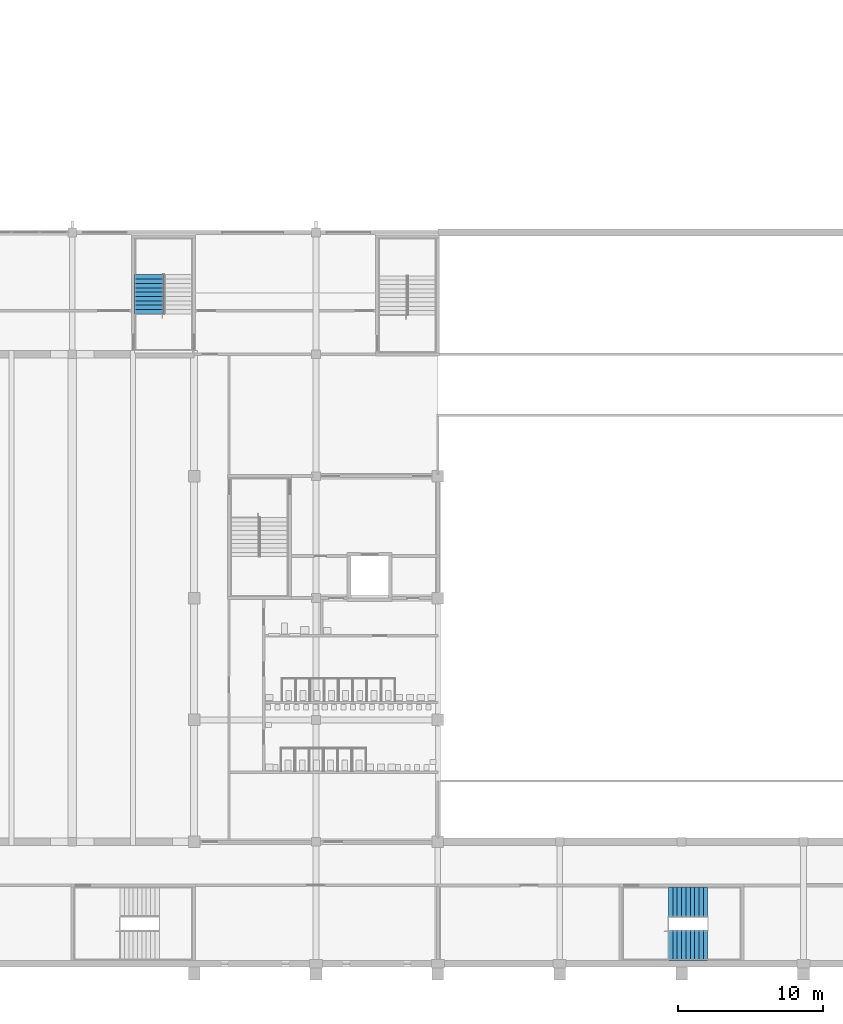
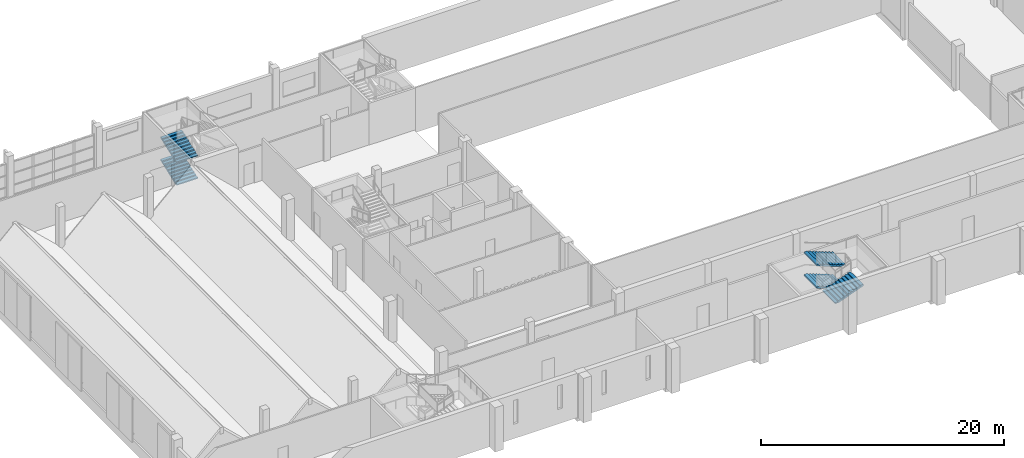
# One storey, part 36 of 56: 5 stair flights, 2 elements without a shape of their own.
"""IFC4 building model written with IfcOpenShell, lengths in metres."""

from ifc_helpers import new_model, si_unit, direction, frame, origin, place, context, subcontext, project, spatial, faceted_brep, material, type_object, element, aggregate, save


model = new_model("IFC4")

# Units and contexts
model_context = context("Model", 3, precision=1e-05, world=origin(), true_north=direction((0.0, 1.0)))
body_context = subcontext(model_context, "Body", "Model", "MODEL_VIEW")
ifc_project = project(units=[si_unit("LENGTHUNIT", "METRE"), si_unit("AREAUNIT", "SQUARE_METRE"), si_unit("VOLUMEUNIT", "CUBIC_METRE"), si_unit("PLANEANGLEUNIT", "RADIAN"), si_unit("MASSUNIT", "GRAM", prefix="KILO")], contexts=[model_context])

# Site, building, storey
site_placement = place(None, origin())
site = spatial("IfcSite", under=ifc_project, at=site_placement, CompositionType="ELEMENT")
building_placement = place(site_placement, origin())
building = spatial("IfcBuilding", under=site, at=building_placement, Name="Rulbaag Community and Learning Centre", CompositionType="ELEMENT")
storey_placement = place(building_placement, frame((0.0, 0.0, 9.89990234375)))
storey = spatial("IfcBuildingStorey", under=building, at=storey_placement, Name="L02", CompositionType="ELEMENT", Elevation=9.89990234375)

# Stair, stair flights
ifc_material = material(Name="Concrete M40", Category="concrete")
stair_type_1 = type_object("IfcStairType", Name="ST-2000 STAIR 2000 WIDE", PredefinedType="HALF_TURN_STAIR", material=ifc_material)
stair_1_placement = place(storey_placement, origin())
stair_1 = element("IfcStair", 1, at=stair_1_placement, inside=storey, type_object=stair_type_1, Name="Stair ST-H0 L02", PredefinedType="HALF_TURN_STAIR")
stair_flight_type_1 = type_object("IfcStairFlightType", Name="FL-2000 FLIGHT 2000 WIDE Concrete M40", PredefinedType="STRAIGHT", material=ifc_material)
stair_flight_1_placement = place(storey_placement, frame((22.10009765625, 44.78759765625, 0.0), z_axis=(0.0, 0.0, 1.0), x_axis=(0.0, 1.0, 0.0)))
stair_flight_1 = element("IfcStairFlight", 2, at=stair_flight_1_placement, type_object=stair_flight_type_1, Name="ST-H0 flight 1", NumberOfRisers=10, NumberOfTreads=9, PredefinedType="STRAIGHT", RiserHeight=0.1125, TreadLength=0.3, context=body_context, shape_type="Brep", body=[
    faceted_brep([(0.3984375, -1.0, 0.0), (2.699951171875, -1.0, 0.863037109375), (2.699951171875, -1.0, 1.012451171875), (2.39990234375, -1.0, 1.012451171875), (2.39990234375, -1.0, 0.89990234375), (2.10009765625, -1.0, 0.89990234375), (2.10009765625, -1.0, 0.78759765625), (1.800048828125, -1.0, 0.78759765625), (1.800048828125, -1.0, 0.675048828125), (1.5, -1.0, 0.675048828125), (1.5, -1.0, 0.5625), (1.199951171875, -1.0, 0.5625), (1.199951171875, -1.0, 0.449951171875), (0.89990234375, -1.0, 0.449951171875), (0.89990234375, -1.0, 0.33740234375), (0.60009765625, -1.0, 0.33740234375), (0.60009765625, -1.0, 0.22509765625), (0.300048828125, -1.0, 0.22509765625), (0.300048828125, -1.0, 0.112548828125), (0.0, -1.0, 0.112548828125), (0.0, -1.0, 0.0), (0.0, 1.0, 0.0), (0.0, 1.0, 0.112548828125), (0.300048828125, 1.0, 0.112548828125), (0.300048828125, 1.0, 0.22509765625), (0.60009765625, 1.0, 0.22509765625), (0.60009765625, 1.0, 0.33740234375), (0.89990234375, 1.0, 0.33740234375), (0.89990234375, 1.0, 0.449951171875), (1.199951171875, 1.0, 0.449951171875), (1.199951171875, 1.0, 0.5625), (1.5, 1.0, 0.5625), (1.5, 1.0, 0.675048828125), (1.800048828125, 1.0, 0.675048828125), (1.800048828125, 1.0, 0.78759765625), (2.10009765625, 1.0, 0.78759765625), (2.10009765625, 1.0, 0.89990234375), (2.39990234375, 1.0, 0.89990234375), (2.39990234375, 1.0, 1.012451171875), (2.699951171875, 1.0, 1.012451171875), (2.699951171875, 1.0, 0.863037109375), (0.3984375, 1.0, 0.0), (0.0, -0.333251953125, 0.112548828125), (0.0, -0.333251953125, 0.0), (0.0, 0.333251953125, 0.112548828125), (0.0, 0.333251953125, 0.0), (0.300048828125, -0.333251953125, 0.112548828125), (0.300048828125, 0.333251953125, 0.112548828125), (0.300048828125, -0.333251953125, 0.22509765625), (0.300048828125, 0.333251953125, 0.22509765625), (0.60009765625, -0.333251953125, 0.22509765625), (0.60009765625, 0.333251953125, 0.22509765625), (0.60009765625, -0.333251953125, 0.33740234375), (0.60009765625, 0.333251953125, 0.33740234375), (0.89990234375, -0.333251953125, 0.33740234375), (0.89990234375, 0.333251953125, 0.33740234375), (0.89990234375, -0.333251953125, 0.449951171875), (0.89990234375, 0.333251953125, 0.449951171875), (1.199951171875, -0.333251953125, 0.449951171875), (1.199951171875, 0.333251953125, 0.449951171875), (1.199951171875, -0.333251953125, 0.5625), (1.199951171875, 0.333251953125, 0.5625), (1.5, -0.333251953125, 0.5625), (1.5, 0.333251953125, 0.5625), (1.5, -0.333251953125, 0.675048828125), (1.5, 0.333251953125, 0.675048828125), (1.800048828125, -0.333251953125, 0.675048828125), (1.800048828125, 0.333251953125, 0.675048828125), (1.800048828125, -0.333251953125, 0.78759765625), (1.800048828125, 0.333251953125, 0.78759765625), (2.10009765625, -0.333251953125, 0.78759765625), (2.10009765625, 0.333251953125, 0.78759765625), (2.10009765625, -0.333251953125, 0.89990234375), (2.10009765625, 0.333251953125, 0.89990234375), (2.39990234375, -0.333251953125, 0.89990234375), (2.39990234375, 0.333251953125, 0.89990234375), (2.39990234375, -0.333251953125, 1.012451171875), (2.39990234375, 0.333251953125, 1.012451171875), (2.699951171875, -0.333251953125, 1.012451171875), (2.699951171875, 0.333251953125, 1.012451171875), (2.699951171875, -0.333251953125, 0.863037109375), (2.699951171875, 0.333251953125, 0.863037109375), (0.3984375, -0.333251953125, 0.0), (0.3984375, 0.333251953125, 0.0)], [[[0, 1, 2, 3, 4, 5, 6, 7, 8, 9, 10, 11, 12, 13, 14, 15, 16, 17, 18, 19, 20]], [[21, 22, 23, 24, 25, 26, 27, 28, 29, 30, 31, 32, 33, 34, 35, 36, 37, 38, 39, 40, 41]], [[20, 19, 42, 43]], [[43, 42, 44, 45]], [[45, 44, 22, 21]], [[19, 18, 46, 42]], [[42, 46, 47, 44]], [[44, 47, 23, 22]], [[18, 17, 48, 46]], [[46, 48, 49, 47]], [[47, 49, 24, 23]], [[17, 16, 50, 48]], [[48, 50, 51, 49]], [[49, 51, 25, 24]], [[16, 15, 52, 50]], [[50, 52, 53, 51]], [[51, 53, 26, 25]], [[15, 14, 54, 52]], [[52, 54, 55, 53]], [[53, 55, 27, 26]], [[14, 13, 56, 54]], [[54, 56, 57, 55]], [[55, 57, 28, 27]], [[13, 12, 58, 56]], [[56, 58, 59, 57]], [[57, 59, 29, 28]], [[12, 11, 60, 58]], [[58, 60, 61, 59]], [[59, 61, 30, 29]], [[11, 10, 62, 60]], [[60, 62, 63, 61]], [[61, 63, 31, 30]], [[10, 9, 64, 62]], [[62, 64, 65, 63]], [[63, 65, 32, 31]], [[9, 8, 66, 64]], [[64, 66, 67, 65]], [[65, 67, 33, 32]], [[8, 7, 68, 66]], [[66, 68, 69, 67]], [[67, 69, 34, 33]], [[7, 6, 70, 68]], [[68, 70, 71, 69]], [[69, 71, 35, 34]], [[6, 5, 72, 70]], [[70, 72, 73, 71]], [[71, 73, 36, 35]], [[5, 4, 74, 72]], [[72, 74, 75, 73]], [[73, 75, 37, 36]], [[4, 3, 76, 74]], [[74, 76, 77, 75]], [[75, 77, 38, 37]], [[3, 2, 78, 76]], [[76, 78, 79, 77]], [[77, 79, 39, 38]], [[2, 1, 80, 78]], [[78, 80, 81, 79]], [[79, 81, 40, 39]], [[1, 0, 82, 80]], [[80, 82, 83, 81]], [[81, 83, 41, 40]], [[0, 20, 43, 82]], [[82, 43, 45, 83]], [[83, 45, 21, 41]]]),
])
stair_flight_2_placement = place(storey_placement, frame((22.10009765625, 44.78759765625, 2.25), z_axis=(0.0, 0.0, 1.0), x_axis=(0.0, 1.0, 0.0)))
stair_flight_2 = element("IfcStairFlight", 3, at=stair_flight_2_placement, type_object=stair_flight_type_1, Name="ST-H0 flight 3", NumberOfRisers=10, NumberOfTreads=9, PredefinedType="STRAIGHT", RiserHeight=0.1125, TreadLength=0.3, context=body_context, shape_type="Brep", body=[
    faceted_brep([(0.3984375, -1.0, 0.0), (2.699951171875, -1.0, 0.863037109375), (2.699951171875, -1.0, 1.012451171875), (2.39990234375, -1.0, 1.012451171875), (2.39990234375, -1.0, 0.89990234375), (2.10009765625, -1.0, 0.89990234375), (2.10009765625, -1.0, 0.78759765625), (1.800048828125, -1.0, 0.78759765625), (1.800048828125, -1.0, 0.675048828125), (1.5, -1.0, 0.675048828125), (1.5, -1.0, 0.5625), (1.199951171875, -1.0, 0.5625), (1.199951171875, -1.0, 0.449951171875), (0.89990234375, -1.0, 0.449951171875), (0.89990234375, -1.0, 0.33740234375), (0.60009765625, -1.0, 0.33740234375), (0.60009765625, -1.0, 0.22509765625), (0.300048828125, -1.0, 0.22509765625), (0.300048828125, -1.0, 0.112548828125), (0.0, -1.0, 0.112548828125), (0.0, -1.0, 0.0), (0.0, 1.0, 0.0), (0.0, 1.0, 0.112548828125), (0.300048828125, 1.0, 0.112548828125), (0.300048828125, 1.0, 0.22509765625), (0.60009765625, 1.0, 0.22509765625), (0.60009765625, 1.0, 0.33740234375), (0.89990234375, 1.0, 0.33740234375), (0.89990234375, 1.0, 0.449951171875), (1.199951171875, 1.0, 0.449951171875), (1.199951171875, 1.0, 0.5625), (1.5, 1.0, 0.5625), (1.5, 1.0, 0.675048828125), (1.800048828125, 1.0, 0.675048828125), (1.800048828125, 1.0, 0.78759765625), (2.10009765625, 1.0, 0.78759765625), (2.10009765625, 1.0, 0.89990234375), (2.39990234375, 1.0, 0.89990234375), (2.39990234375, 1.0, 1.012451171875), (2.699951171875, 1.0, 1.012451171875), (2.699951171875, 1.0, 0.863037109375), (0.3984375, 1.0, 0.0), (0.0, -0.333251953125, 0.112548828125), (0.0, -0.333251953125, 0.0), (0.0, 0.333251953125, 0.112548828125), (0.0, 0.333251953125, 0.0), (0.300048828125, -0.333251953125, 0.112548828125), (0.300048828125, 0.333251953125, 0.112548828125), (0.300048828125, -0.333251953125, 0.22509765625), (0.300048828125, 0.333251953125, 0.22509765625), (0.60009765625, -0.333251953125, 0.22509765625), (0.60009765625, 0.333251953125, 0.22509765625), (0.60009765625, -0.333251953125, 0.33740234375), (0.60009765625, 0.333251953125, 0.33740234375), (0.89990234375, -0.333251953125, 0.33740234375), (0.89990234375, 0.333251953125, 0.33740234375), (0.89990234375, -0.333251953125, 0.449951171875), (0.89990234375, 0.333251953125, 0.449951171875), (1.199951171875, -0.333251953125, 0.449951171875), (1.199951171875, 0.333251953125, 0.449951171875), (1.199951171875, -0.333251953125, 0.5625), (1.199951171875, 0.333251953125, 0.5625), (1.5, -0.333251953125, 0.5625), (1.5, 0.333251953125, 0.5625), (1.5, -0.333251953125, 0.675048828125), (1.5, 0.333251953125, 0.675048828125), (1.800048828125, -0.333251953125, 0.675048828125), (1.800048828125, 0.333251953125, 0.675048828125), (1.800048828125, -0.333251953125, 0.78759765625), (1.800048828125, 0.333251953125, 0.78759765625), (2.10009765625, -0.333251953125, 0.78759765625), (2.10009765625, 0.333251953125, 0.78759765625), (2.10009765625, -0.333251953125, 0.89990234375), (2.10009765625, 0.333251953125, 0.89990234375), (2.39990234375, -0.333251953125, 0.89990234375), (2.39990234375, 0.333251953125, 0.89990234375), (2.39990234375, -0.333251953125, 1.012451171875), (2.39990234375, 0.333251953125, 1.012451171875), (2.699951171875, -0.333251953125, 1.012451171875), (2.699951171875, 0.333251953125, 1.012451171875), (2.699951171875, -0.333251953125, 0.863037109375), (2.699951171875, 0.333251953125, 0.863037109375), (0.3984375, -0.333251953125, 0.0), (0.3984375, 0.333251953125, 0.0)], [[[0, 1, 2, 3, 4, 5, 6, 7, 8, 9, 10, 11, 12, 13, 14, 15, 16, 17, 18, 19, 20]], [[21, 22, 23, 24, 25, 26, 27, 28, 29, 30, 31, 32, 33, 34, 35, 36, 37, 38, 39, 40, 41]], [[20, 19, 42, 43]], [[43, 42, 44, 45]], [[45, 44, 22, 21]], [[19, 18, 46, 42]], [[42, 46, 47, 44]], [[44, 47, 23, 22]], [[18, 17, 48, 46]], [[46, 48, 49, 47]], [[47, 49, 24, 23]], [[17, 16, 50, 48]], [[48, 50, 51, 49]], [[49, 51, 25, 24]], [[16, 15, 52, 50]], [[50, 52, 53, 51]], [[51, 53, 26, 25]], [[15, 14, 54, 52]], [[52, 54, 55, 53]], [[53, 55, 27, 26]], [[14, 13, 56, 54]], [[54, 56, 57, 55]], [[55, 57, 28, 27]], [[13, 12, 58, 56]], [[56, 58, 59, 57]], [[57, 59, 29, 28]], [[12, 11, 60, 58]], [[58, 60, 61, 59]], [[59, 61, 30, 29]], [[11, 10, 62, 60]], [[60, 62, 63, 61]], [[61, 63, 31, 30]], [[10, 9, 64, 62]], [[62, 64, 65, 63]], [[63, 65, 32, 31]], [[9, 8, 66, 64]], [[64, 66, 67, 65]], [[65, 67, 33, 32]], [[8, 7, 68, 66]], [[66, 68, 69, 67]], [[67, 69, 34, 33]], [[7, 6, 70, 68]], [[68, 70, 71, 69]], [[69, 71, 35, 34]], [[6, 5, 72, 70]], [[70, 72, 73, 71]], [[71, 73, 36, 35]], [[5, 4, 74, 72]], [[72, 74, 75, 73]], [[73, 75, 37, 36]], [[4, 3, 76, 74]], [[74, 76, 77, 75]], [[75, 77, 38, 37]], [[3, 2, 78, 76]], [[76, 78, 79, 77]], [[77, 79, 39, 38]], [[2, 1, 80, 78]], [[78, 80, 81, 79]], [[79, 81, 40, 39]], [[1, 0, 82, 80]], [[80, 82, 83, 81]], [[81, 83, 41, 40]], [[0, 20, 43, 82]], [[82, 43, 45, 83]], [[83, 45, 21, 41]]]),
])
aggregate(stair_1, [stair_flight_1, stair_flight_2])

stair_type_2 = type_object("IfcStairType", Name="ST-2100 STAIR 2100 WIDE", PredefinedType="HALF_TURN_STAIR", material=ifc_material)
stair_2_placement = place(storey_placement, origin())
stair_2 = element("IfcStair", 4, at=stair_2_placement, inside=storey, type_object=stair_type_2, Name="Stair ST-H8 L02", PredefinedType="HALF_TURN_STAIR")
stair_flight_type_2 = type_object("IfcStairFlightType", Name="FL-2100 FLIGHT 2100 WIDE Concrete M40", PredefinedType="STRAIGHT", material=ifc_material)
stair_flight_3_placement = place(storey_placement, frame((60.60009765625, 4.25, 1.125), z_axis=(0.0, 0.0, 1.0), x_axis=(-1.0, 0.0, 0.0)))
stair_flight_3 = element("IfcStairFlight", 5, at=stair_flight_3_placement, type_object=stair_flight_type_2, Name="ST-H8 flight 2", NumberOfRisers=10, NumberOfTreads=9, PredefinedType="STRAIGHT", RiserHeight=0.1125, TreadLength=0.3, context=body_context, shape_type="Brep", body=[
    faceted_brep([(0.3984375, -1.050048828125, 0.0), (2.699951171875, -1.050048828125, 0.863037109375), (2.699951171875, -1.050048828125, 1.012451171875), (2.39990234375, -1.050048828125, 1.012451171875), (2.39990234375, -1.050048828125, 0.89990234375), (2.10009765625, -1.050048828125, 0.89990234375), (2.10009765625, -1.050048828125, 0.78759765625), (1.800048828125, -1.050048828125, 0.78759765625), (1.800048828125, -1.050048828125, 0.675048828125), (1.5, -1.050048828125, 0.675048828125), (1.5, -1.050048828125, 0.5625), (1.199951171875, -1.050048828125, 0.5625), (1.199951171875, -1.050048828125, 0.449951171875), (0.89990234375, -1.050048828125, 0.449951171875), (0.89990234375, -1.050048828125, 0.33740234375), (0.60009765625, -1.050048828125, 0.33740234375), (0.60009765625, -1.050048828125, 0.22509765625), (0.300048828125, -1.050048828125, 0.22509765625), (0.300048828125, -1.050048828125, 0.112548828125), (0.0, -1.050048828125, 0.112548828125), (0.0, -1.050048828125, 0.0), (0.0, 1.050048828125, 0.0), (0.0, 1.050048828125, 0.112548828125), (0.300048828125, 1.050048828125, 0.112548828125), (0.300048828125, 1.050048828125, 0.22509765625), (0.60009765625, 1.050048828125, 0.22509765625), (0.60009765625, 1.050048828125, 0.33740234375), (0.89990234375, 1.050048828125, 0.33740234375), (0.89990234375, 1.050048828125, 0.449951171875), (1.199951171875, 1.050048828125, 0.449951171875), (1.199951171875, 1.050048828125, 0.5625), (1.5, 1.050048828125, 0.5625), (1.5, 1.050048828125, 0.675048828125), (1.800048828125, 1.050048828125, 0.675048828125), (1.800048828125, 1.050048828125, 0.78759765625), (2.10009765625, 1.050048828125, 0.78759765625), (2.10009765625, 1.050048828125, 0.89990234375), (2.39990234375, 1.050048828125, 0.89990234375), (2.39990234375, 1.050048828125, 1.012451171875), (2.699951171875, 1.050048828125, 1.012451171875), (2.699951171875, 1.050048828125, 0.863037109375), (0.3984375, 1.050048828125, 0.0), (0.0, -0.52490234375, 0.112548828125), (0.0, -0.52490234375, 0.0), (0.0, 0.0, 0.112548828125), (0.0, 0.0, 0.0), (0.0, 0.52490234375, 0.112548828125), (0.0, 0.52490234375, 0.0), (0.300048828125, -0.52490234375, 0.112548828125), (0.300048828125, 0.0, 0.112548828125), (0.300048828125, 0.52490234375, 0.112548828125), (0.300048828125, -0.52490234375, 0.22509765625), (0.300048828125, 0.0, 0.22509765625), (0.300048828125, 0.52490234375, 0.22509765625), (0.60009765625, -0.52490234375, 0.22509765625), (0.60009765625, 0.0, 0.22509765625), (0.60009765625, 0.52490234375, 0.22509765625), (0.60009765625, -0.52490234375, 0.33740234375), (0.60009765625, 0.0, 0.33740234375), (0.60009765625, 0.52490234375, 0.33740234375), (0.89990234375, -0.52490234375, 0.33740234375), (0.89990234375, 0.0, 0.33740234375), (0.89990234375, 0.52490234375, 0.33740234375), (0.89990234375, -0.52490234375, 0.449951171875), (0.89990234375, 0.0, 0.449951171875), (0.89990234375, 0.52490234375, 0.449951171875), (1.199951171875, -0.52490234375, 0.449951171875), (1.199951171875, 0.0, 0.449951171875), (1.199951171875, 0.52490234375, 0.449951171875), (1.199951171875, -0.52490234375, 0.5625), (1.199951171875, 0.0, 0.5625), (1.199951171875, 0.52490234375, 0.5625), (1.5, -0.52490234375, 0.5625), (1.5, 0.0, 0.5625), (1.5, 0.52490234375, 0.5625), (1.5, -0.52490234375, 0.675048828125), (1.5, 0.0, 0.675048828125), (1.5, 0.52490234375, 0.675048828125), (1.800048828125, -0.52490234375, 0.675048828125), (1.800048828125, 0.0, 0.675048828125), (1.800048828125, 0.52490234375, 0.675048828125), (1.800048828125, -0.52490234375, 0.78759765625), (1.800048828125, 0.0, 0.78759765625), (1.800048828125, 0.52490234375, 0.78759765625), (2.10009765625, -0.52490234375, 0.78759765625), (2.10009765625, 0.0, 0.78759765625), (2.10009765625, 0.52490234375, 0.78759765625), (2.10009765625, -0.52490234375, 0.89990234375), (2.10009765625, 0.0, 0.89990234375), (2.10009765625, 0.52490234375, 0.89990234375), (2.39990234375, -0.52490234375, 0.89990234375), (2.39990234375, 0.0, 0.89990234375), (2.39990234375, 0.52490234375, 0.89990234375), (2.39990234375, -0.52490234375, 1.012451171875), (2.39990234375, 0.0, 1.012451171875), (2.39990234375, 0.52490234375, 1.012451171875), (2.699951171875, -0.52490234375, 1.012451171875), (2.699951171875, 0.0, 1.012451171875), (2.699951171875, 0.52490234375, 1.012451171875), (2.699951171875, -0.52490234375, 0.863037109375), (2.699951171875, 0.0, 0.863037109375), (2.699951171875, 0.52490234375, 0.863037109375), (0.3984375, -0.52490234375, 0.0), (0.3984375, 0.0, 0.0), (0.3984375, 0.52490234375, 0.0)], [[[0, 1, 2, 3, 4, 5, 6, 7, 8, 9, 10, 11, 12, 13, 14, 15, 16, 17, 18, 19, 20]], [[21, 22, 23, 24, 25, 26, 27, 28, 29, 30, 31, 32, 33, 34, 35, 36, 37, 38, 39, 40, 41]], [[20, 19, 42, 43]], [[43, 42, 44, 45]], [[45, 44, 46, 47]], [[47, 46, 22, 21]], [[19, 18, 48, 42]], [[42, 48, 49, 44]], [[44, 49, 50, 46]], [[46, 50, 23, 22]], [[18, 17, 51, 48]], [[48, 51, 52, 49]], [[49, 52, 53, 50]], [[50, 53, 24, 23]], [[17, 16, 54, 51]], [[51, 54, 55, 52]], [[52, 55, 56, 53]], [[53, 56, 25, 24]], [[16, 15, 57, 54]], [[54, 57, 58, 55]], [[55, 58, 59, 56]], [[56, 59, 26, 25]], [[15, 14, 60, 57]], [[57, 60, 61, 58]], [[58, 61, 62, 59]], [[59, 62, 27, 26]], [[14, 13, 63, 60]], [[60, 63, 64, 61]], [[61, 64, 65, 62]], [[62, 65, 28, 27]], [[13, 12, 66, 63]], [[63, 66, 67, 64]], [[64, 67, 68, 65]], [[65, 68, 29, 28]], [[12, 11, 69, 66]], [[66, 69, 70, 67]], [[67, 70, 71, 68]], [[68, 71, 30, 29]], [[11, 10, 72, 69]], [[69, 72, 73, 70]], [[70, 73, 74, 71]], [[71, 74, 31, 30]], [[10, 9, 75, 72]], [[72, 75, 76, 73]], [[73, 76, 77, 74]], [[74, 77, 32, 31]], [[9, 8, 78, 75]], [[75, 78, 79, 76]], [[76, 79, 80, 77]], [[77, 80, 33, 32]], [[8, 7, 81, 78]], [[78, 81, 82, 79]], [[79, 82, 83, 80]], [[80, 83, 34, 33]], [[7, 6, 84, 81]], [[81, 84, 85, 82]], [[82, 85, 86, 83]], [[83, 86, 35, 34]], [[6, 5, 87, 84]], [[84, 87, 88, 85]], [[85, 88, 89, 86]], [[86, 89, 36, 35]], [[5, 4, 90, 87]], [[87, 90, 91, 88]], [[88, 91, 92, 89]], [[89, 92, 37, 36]], [[4, 3, 93, 90]], [[90, 93, 94, 91]], [[91, 94, 95, 92]], [[92, 95, 38, 37]], [[3, 2, 96, 93]], [[93, 96, 97, 94]], [[94, 97, 98, 95]], [[95, 98, 39, 38]], [[2, 1, 99, 96]], [[96, 99, 100, 97]], [[97, 100, 101, 98]], [[98, 101, 40, 39]], [[1, 0, 102, 99]], [[99, 102, 103, 100]], [[100, 103, 104, 101]], [[101, 104, 41, 40]], [[0, 20, 43, 102]], [[102, 43, 45, 103]], [[103, 45, 47, 104]], [[104, 47, 21, 41]]]),
])
stair_flight_4_placement = place(storey_placement, frame((57.89990234375, 1.27490234375, 2.25), z_axis=(0.0, 0.0, 1.0), x_axis=(1.0, 0.0, 0.0)))
stair_flight_4 = element("IfcStairFlight", 6, at=stair_flight_4_placement, type_object=stair_flight_type_2, Name="ST-H8 flight 3", NumberOfRisers=10, NumberOfTreads=9, PredefinedType="STRAIGHT", RiserHeight=0.1125, TreadLength=0.3, context=body_context, shape_type="Brep", body=[
    faceted_brep([(0.3984375, -1.050048828125, 0.0), (2.699951171875, -1.050048828125, 0.863037109375), (2.699951171875, -1.050048828125, 1.012451171875), (2.39990234375, -1.050048828125, 1.012451171875), (2.39990234375, -1.050048828125, 0.89990234375), (2.10009765625, -1.050048828125, 0.89990234375), (2.10009765625, -1.050048828125, 0.78759765625), (1.800048828125, -1.050048828125, 0.78759765625), (1.800048828125, -1.050048828125, 0.675048828125), (1.5, -1.050048828125, 0.675048828125), (1.5, -1.050048828125, 0.5625), (1.199951171875, -1.050048828125, 0.5625), (1.199951171875, -1.050048828125, 0.449951171875), (0.89990234375, -1.050048828125, 0.449951171875), (0.89990234375, -1.050048828125, 0.33740234375), (0.60009765625, -1.050048828125, 0.33740234375), (0.60009765625, -1.050048828125, 0.22509765625), (0.300048828125, -1.050048828125, 0.22509765625), (0.300048828125, -1.050048828125, 0.112548828125), (0.0, -1.050048828125, 0.112548828125), (0.0, -1.050048828125, 0.0), (0.0, 1.050048828125, 0.0), (0.0, 1.050048828125, 0.112548828125), (0.300048828125, 1.050048828125, 0.112548828125), (0.300048828125, 1.050048828125, 0.22509765625), (0.60009765625, 1.050048828125, 0.22509765625), (0.60009765625, 1.050048828125, 0.33740234375), (0.89990234375, 1.050048828125, 0.33740234375), (0.89990234375, 1.050048828125, 0.449951171875), (1.199951171875, 1.050048828125, 0.449951171875), (1.199951171875, 1.050048828125, 0.5625), (1.5, 1.050048828125, 0.5625), (1.5, 1.050048828125, 0.675048828125), (1.800048828125, 1.050048828125, 0.675048828125), (1.800048828125, 1.050048828125, 0.78759765625), (2.10009765625, 1.050048828125, 0.78759765625), (2.10009765625, 1.050048828125, 0.89990234375), (2.39990234375, 1.050048828125, 0.89990234375), (2.39990234375, 1.050048828125, 1.012451171875), (2.699951171875, 1.050048828125, 1.012451171875), (2.699951171875, 1.050048828125, 0.863037109375), (0.3984375, 1.050048828125, 0.0), (0.0, -0.52490234375, 0.112548828125), (0.0, -0.52490234375, 0.0), (0.0, 0.0, 0.112548828125), (0.0, 0.0, 0.0), (0.0, 0.52490234375, 0.112548828125), (0.0, 0.52490234375, 0.0), (0.300048828125, -0.52490234375, 0.112548828125), (0.300048828125, 0.0, 0.112548828125), (0.300048828125, 0.52490234375, 0.112548828125), (0.300048828125, -0.52490234375, 0.22509765625), (0.300048828125, 0.0, 0.22509765625), (0.300048828125, 0.52490234375, 0.22509765625), (0.60009765625, -0.52490234375, 0.22509765625), (0.60009765625, 0.0, 0.22509765625), (0.60009765625, 0.52490234375, 0.22509765625), (0.60009765625, -0.52490234375, 0.33740234375), (0.60009765625, 0.0, 0.33740234375), (0.60009765625, 0.52490234375, 0.33740234375), (0.89990234375, -0.52490234375, 0.33740234375), (0.89990234375, 0.0, 0.33740234375), (0.89990234375, 0.52490234375, 0.33740234375), (0.89990234375, -0.52490234375, 0.449951171875), (0.89990234375, 0.0, 0.449951171875), (0.89990234375, 0.52490234375, 0.449951171875), (1.199951171875, -0.52490234375, 0.449951171875), (1.199951171875, 0.0, 0.449951171875), (1.199951171875, 0.52490234375, 0.449951171875), (1.199951171875, -0.52490234375, 0.5625), (1.199951171875, 0.0, 0.5625), (1.199951171875, 0.52490234375, 0.5625), (1.5, -0.52490234375, 0.5625), (1.5, 0.0, 0.5625), (1.5, 0.52490234375, 0.5625), (1.5, -0.52490234375, 0.675048828125), (1.5, 0.0, 0.675048828125), (1.5, 0.52490234375, 0.675048828125), (1.800048828125, -0.52490234375, 0.675048828125), (1.800048828125, 0.0, 0.675048828125), (1.800048828125, 0.52490234375, 0.675048828125), (1.800048828125, -0.52490234375, 0.78759765625), (1.800048828125, 0.0, 0.78759765625), (1.800048828125, 0.52490234375, 0.78759765625), (2.10009765625, -0.52490234375, 0.78759765625), (2.10009765625, 0.0, 0.78759765625), (2.10009765625, 0.52490234375, 0.78759765625), (2.10009765625, -0.52490234375, 0.89990234375), (2.10009765625, 0.0, 0.89990234375), (2.10009765625, 0.52490234375, 0.89990234375), (2.39990234375, -0.52490234375, 0.89990234375), (2.39990234375, 0.0, 0.89990234375), (2.39990234375, 0.52490234375, 0.89990234375), (2.39990234375, -0.52490234375, 1.012451171875), (2.39990234375, 0.0, 1.012451171875), (2.39990234375, 0.52490234375, 1.012451171875), (2.699951171875, -0.52490234375, 1.012451171875), (2.699951171875, 0.0, 1.012451171875), (2.699951171875, 0.52490234375, 1.012451171875), (2.699951171875, -0.52490234375, 0.863037109375), (2.699951171875, 0.0, 0.863037109375), (2.699951171875, 0.52490234375, 0.863037109375), (0.3984375, -0.52490234375, 0.0), (0.3984375, 0.0, 0.0), (0.3984375, 0.52490234375, 0.0)], [[[0, 1, 2, 3, 4, 5, 6, 7, 8, 9, 10, 11, 12, 13, 14, 15, 16, 17, 18, 19, 20]], [[21, 22, 23, 24, 25, 26, 27, 28, 29, 30, 31, 32, 33, 34, 35, 36, 37, 38, 39, 40, 41]], [[20, 19, 42, 43]], [[43, 42, 44, 45]], [[45, 44, 46, 47]], [[47, 46, 22, 21]], [[19, 18, 48, 42]], [[42, 48, 49, 44]], [[44, 49, 50, 46]], [[46, 50, 23, 22]], [[18, 17, 51, 48]], [[48, 51, 52, 49]], [[49, 52, 53, 50]], [[50, 53, 24, 23]], [[17, 16, 54, 51]], [[51, 54, 55, 52]], [[52, 55, 56, 53]], [[53, 56, 25, 24]], [[16, 15, 57, 54]], [[54, 57, 58, 55]], [[55, 58, 59, 56]], [[56, 59, 26, 25]], [[15, 14, 60, 57]], [[57, 60, 61, 58]], [[58, 61, 62, 59]], [[59, 62, 27, 26]], [[14, 13, 63, 60]], [[60, 63, 64, 61]], [[61, 64, 65, 62]], [[62, 65, 28, 27]], [[13, 12, 66, 63]], [[63, 66, 67, 64]], [[64, 67, 68, 65]], [[65, 68, 29, 28]], [[12, 11, 69, 66]], [[66, 69, 70, 67]], [[67, 70, 71, 68]], [[68, 71, 30, 29]], [[11, 10, 72, 69]], [[69, 72, 73, 70]], [[70, 73, 74, 71]], [[71, 74, 31, 30]], [[10, 9, 75, 72]], [[72, 75, 76, 73]], [[73, 76, 77, 74]], [[74, 77, 32, 31]], [[9, 8, 78, 75]], [[75, 78, 79, 76]], [[76, 79, 80, 77]], [[77, 80, 33, 32]], [[8, 7, 81, 78]], [[78, 81, 82, 79]], [[79, 82, 83, 80]], [[80, 83, 34, 33]], [[7, 6, 84, 81]], [[81, 84, 85, 82]], [[82, 85, 86, 83]], [[83, 86, 35, 34]], [[6, 5, 87, 84]], [[84, 87, 88, 85]], [[85, 88, 89, 86]], [[86, 89, 36, 35]], [[5, 4, 90, 87]], [[87, 90, 91, 88]], [[88, 91, 92, 89]], [[89, 92, 37, 36]], [[4, 3, 93, 90]], [[90, 93, 94, 91]], [[91, 94, 95, 92]], [[92, 95, 38, 37]], [[3, 2, 96, 93]], [[93, 96, 97, 94]], [[94, 97, 98, 95]], [[95, 98, 39, 38]], [[2, 1, 99, 96]], [[96, 99, 100, 97]], [[97, 100, 101, 98]], [[98, 101, 40, 39]], [[1, 0, 102, 99]], [[99, 102, 103, 100]], [[100, 103, 104, 101]], [[101, 104, 41, 40]], [[0, 20, 43, 102]], [[102, 43, 45, 103]], [[103, 45, 47, 104]], [[104, 47, 21, 41]]]),
])
stair_flight_5_placement = place(storey_placement, frame((60.60009765625, 4.25, 3.375), z_axis=(0.0, 0.0, 1.0), x_axis=(-1.0, 0.0, 0.0)))
stair_flight_5 = element("IfcStairFlight", 7, at=stair_flight_5_placement, type_object=stair_flight_type_2, Name="ST-H8 flight 4", NumberOfRisers=10, NumberOfTreads=9, PredefinedType="STRAIGHT", RiserHeight=0.1125, TreadLength=0.3, context=body_context, shape_type="Brep", body=[
    faceted_brep([(0.3984375, -1.050048828125, 0.0), (2.699951171875, -1.050048828125, 0.863037109375), (2.699951171875, -1.050048828125, 1.012451171875), (2.39990234375, -1.050048828125, 1.012451171875), (2.39990234375, -1.050048828125, 0.89990234375), (2.10009765625, -1.050048828125, 0.89990234375), (2.10009765625, -1.050048828125, 0.78759765625), (1.800048828125, -1.050048828125, 0.78759765625), (1.800048828125, -1.050048828125, 0.675048828125), (1.5, -1.050048828125, 0.675048828125), (1.5, -1.050048828125, 0.5625), (1.199951171875, -1.050048828125, 0.5625), (1.199951171875, -1.050048828125, 0.449951171875), (0.89990234375, -1.050048828125, 0.449951171875), (0.89990234375, -1.050048828125, 0.33740234375), (0.60009765625, -1.050048828125, 0.33740234375), (0.60009765625, -1.050048828125, 0.22509765625), (0.300048828125, -1.050048828125, 0.22509765625), (0.300048828125, -1.050048828125, 0.112548828125), (0.0, -1.050048828125, 0.112548828125), (0.0, -1.050048828125, 0.0), (0.0, 1.050048828125, 0.0), (0.0, 1.050048828125, 0.112548828125), (0.300048828125, 1.050048828125, 0.112548828125), (0.300048828125, 1.050048828125, 0.22509765625), (0.60009765625, 1.050048828125, 0.22509765625), (0.60009765625, 1.050048828125, 0.33740234375), (0.89990234375, 1.050048828125, 0.33740234375), (0.89990234375, 1.050048828125, 0.449951171875), (1.199951171875, 1.050048828125, 0.449951171875), (1.199951171875, 1.050048828125, 0.5625), (1.5, 1.050048828125, 0.5625), (1.5, 1.050048828125, 0.675048828125), (1.800048828125, 1.050048828125, 0.675048828125), (1.800048828125, 1.050048828125, 0.78759765625), (2.10009765625, 1.050048828125, 0.78759765625), (2.10009765625, 1.050048828125, 0.89990234375), (2.39990234375, 1.050048828125, 0.89990234375), (2.39990234375, 1.050048828125, 1.012451171875), (2.699951171875, 1.050048828125, 1.012451171875), (2.699951171875, 1.050048828125, 0.863037109375), (0.3984375, 1.050048828125, 0.0), (0.0, -0.52490234375, 0.112548828125), (0.0, -0.52490234375, 0.0), (0.0, 0.0, 0.112548828125), (0.0, 0.0, 0.0), (0.0, 0.52490234375, 0.112548828125), (0.0, 0.52490234375, 0.0), (0.300048828125, -0.52490234375, 0.112548828125), (0.300048828125, 0.0, 0.112548828125), (0.300048828125, 0.52490234375, 0.112548828125), (0.300048828125, -0.52490234375, 0.22509765625), (0.300048828125, 0.0, 0.22509765625), (0.300048828125, 0.52490234375, 0.22509765625), (0.60009765625, -0.52490234375, 0.22509765625), (0.60009765625, 0.0, 0.22509765625), (0.60009765625, 0.52490234375, 0.22509765625), (0.60009765625, -0.52490234375, 0.33740234375), (0.60009765625, 0.0, 0.33740234375), (0.60009765625, 0.52490234375, 0.33740234375), (0.89990234375, -0.52490234375, 0.33740234375), (0.89990234375, 0.0, 0.33740234375), (0.89990234375, 0.52490234375, 0.33740234375), (0.89990234375, -0.52490234375, 0.449951171875), (0.89990234375, 0.0, 0.449951171875), (0.89990234375, 0.52490234375, 0.449951171875), (1.199951171875, -0.52490234375, 0.449951171875), (1.199951171875, 0.0, 0.449951171875), (1.199951171875, 0.52490234375, 0.449951171875), (1.199951171875, -0.52490234375, 0.5625), (1.199951171875, 0.0, 0.5625), (1.199951171875, 0.52490234375, 0.5625), (1.5, -0.52490234375, 0.5625), (1.5, 0.0, 0.5625), (1.5, 0.52490234375, 0.5625), (1.5, -0.52490234375, 0.675048828125), (1.5, 0.0, 0.675048828125), (1.5, 0.52490234375, 0.675048828125), (1.800048828125, -0.52490234375, 0.675048828125), (1.800048828125, 0.0, 0.675048828125), (1.800048828125, 0.52490234375, 0.675048828125), (1.800048828125, -0.52490234375, 0.78759765625), (1.800048828125, 0.0, 0.78759765625), (1.800048828125, 0.52490234375, 0.78759765625), (2.10009765625, -0.52490234375, 0.78759765625), (2.10009765625, 0.0, 0.78759765625), (2.10009765625, 0.52490234375, 0.78759765625), (2.10009765625, -0.52490234375, 0.89990234375), (2.10009765625, 0.0, 0.89990234375), (2.10009765625, 0.52490234375, 0.89990234375), (2.39990234375, -0.52490234375, 0.89990234375), (2.39990234375, 0.0, 0.89990234375), (2.39990234375, 0.52490234375, 0.89990234375), (2.39990234375, -0.52490234375, 1.012451171875), (2.39990234375, 0.0, 1.012451171875), (2.39990234375, 0.52490234375, 1.012451171875), (2.699951171875, -0.52490234375, 1.012451171875), (2.699951171875, 0.0, 1.012451171875), (2.699951171875, 0.52490234375, 1.012451171875), (2.699951171875, -0.52490234375, 0.863037109375), (2.699951171875, 0.0, 0.863037109375), (2.699951171875, 0.52490234375, 0.863037109375), (0.3984375, -0.52490234375, 0.0), (0.3984375, 0.0, 0.0), (0.3984375, 0.52490234375, 0.0)], [[[0, 1, 2, 3, 4, 5, 6, 7, 8, 9, 10, 11, 12, 13, 14, 15, 16, 17, 18, 19, 20]], [[21, 22, 23, 24, 25, 26, 27, 28, 29, 30, 31, 32, 33, 34, 35, 36, 37, 38, 39, 40, 41]], [[20, 19, 42, 43]], [[43, 42, 44, 45]], [[45, 44, 46, 47]], [[47, 46, 22, 21]], [[19, 18, 48, 42]], [[42, 48, 49, 44]], [[44, 49, 50, 46]], [[46, 50, 23, 22]], [[18, 17, 51, 48]], [[48, 51, 52, 49]], [[49, 52, 53, 50]], [[50, 53, 24, 23]], [[17, 16, 54, 51]], [[51, 54, 55, 52]], [[52, 55, 56, 53]], [[53, 56, 25, 24]], [[16, 15, 57, 54]], [[54, 57, 58, 55]], [[55, 58, 59, 56]], [[56, 59, 26, 25]], [[15, 14, 60, 57]], [[57, 60, 61, 58]], [[58, 61, 62, 59]], [[59, 62, 27, 26]], [[14, 13, 63, 60]], [[60, 63, 64, 61]], [[61, 64, 65, 62]], [[62, 65, 28, 27]], [[13, 12, 66, 63]], [[63, 66, 67, 64]], [[64, 67, 68, 65]], [[65, 68, 29, 28]], [[12, 11, 69, 66]], [[66, 69, 70, 67]], [[67, 70, 71, 68]], [[68, 71, 30, 29]], [[11, 10, 72, 69]], [[69, 72, 73, 70]], [[70, 73, 74, 71]], [[71, 74, 31, 30]], [[10, 9, 75, 72]], [[72, 75, 76, 73]], [[73, 76, 77, 74]], [[74, 77, 32, 31]], [[9, 8, 78, 75]], [[75, 78, 79, 76]], [[76, 79, 80, 77]], [[77, 80, 33, 32]], [[8, 7, 81, 78]], [[78, 81, 82, 79]], [[79, 82, 83, 80]], [[80, 83, 34, 33]], [[7, 6, 84, 81]], [[81, 84, 85, 82]], [[82, 85, 86, 83]], [[83, 86, 35, 34]], [[6, 5, 87, 84]], [[84, 87, 88, 85]], [[85, 88, 89, 86]], [[86, 89, 36, 35]], [[5, 4, 90, 87]], [[87, 90, 91, 88]], [[88, 91, 92, 89]], [[89, 92, 37, 36]], [[4, 3, 93, 90]], [[90, 93, 94, 91]], [[91, 94, 95, 92]], [[92, 95, 38, 37]], [[3, 2, 96, 93]], [[93, 96, 97, 94]], [[94, 97, 98, 95]], [[95, 98, 39, 38]], [[2, 1, 99, 96]], [[96, 99, 100, 97]], [[97, 100, 101, 98]], [[98, 101, 40, 39]], [[1, 0, 102, 99]], [[99, 102, 103, 100]], [[100, 103, 104, 101]], [[101, 104, 41, 40]], [[0, 20, 43, 102]], [[102, 43, 45, 103]], [[103, 45, 47, 104]], [[104, 47, 21, 41]]]),
])
aggregate(stair_2, [stair_flight_3, stair_flight_4, stair_flight_5])

save(model, "model.ifc")
